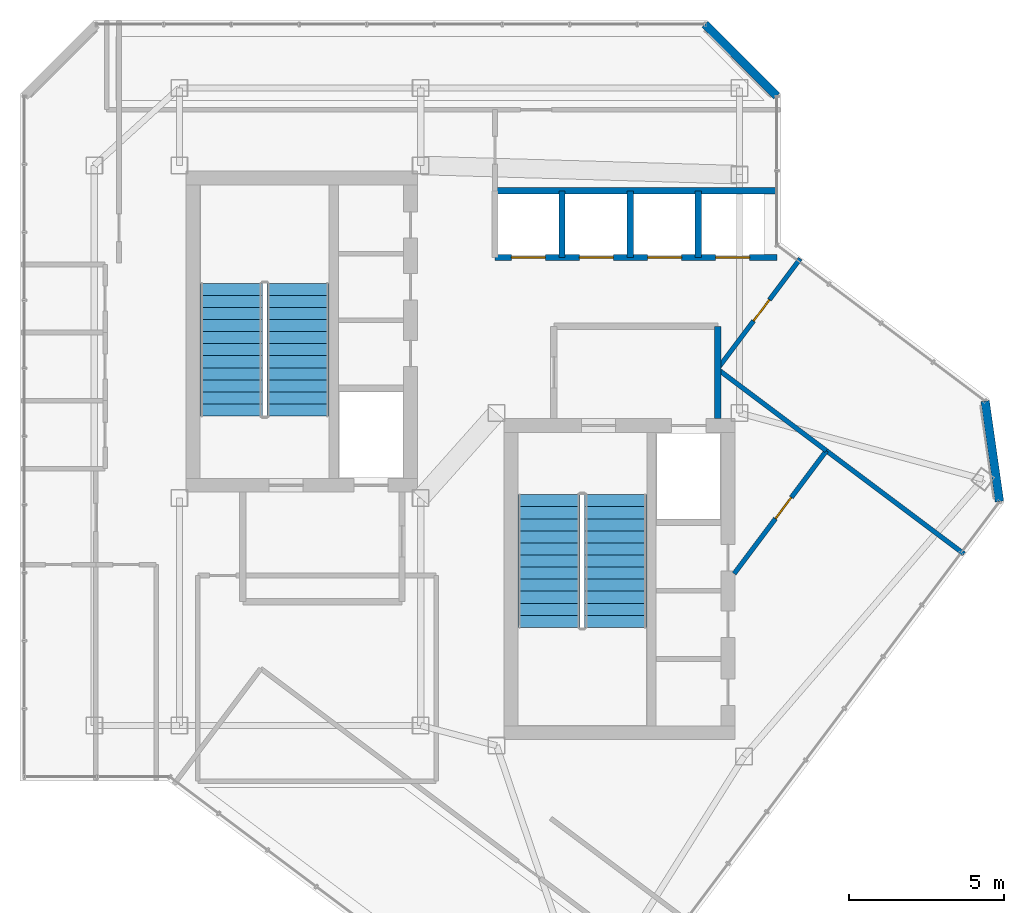
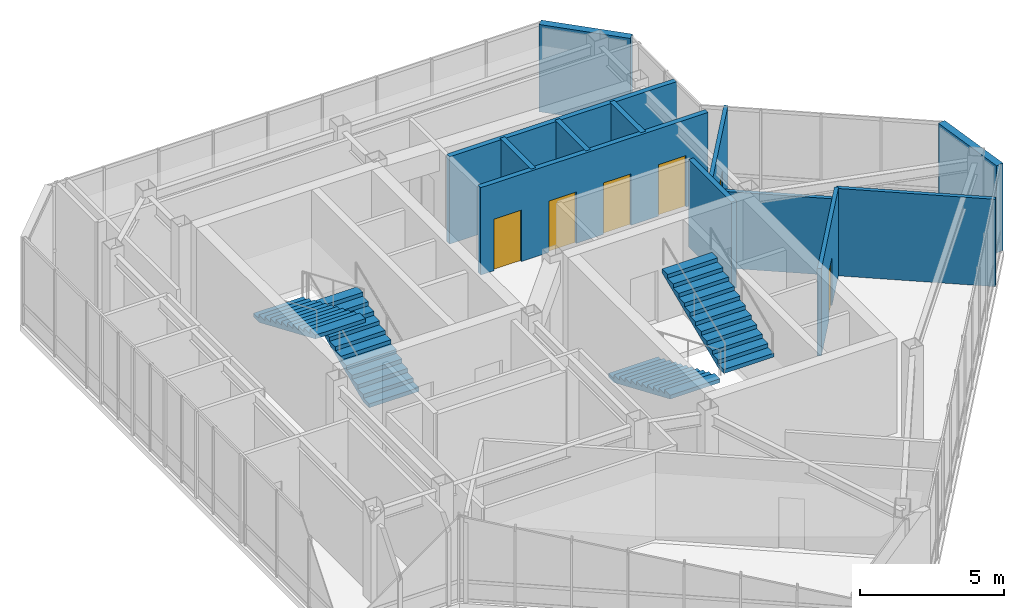
# One storey, part 22 of 24: 12 walls, 6 doors, 4 stair flights, 6 openings, 2 elements without a shape of their own.
"""IFC4 building model written with IfcOpenShell, lengths in metres."""

from ifc_helpers import new_model, si_unit, direction, frame, frame_2d, origin, place, context, subcontext, project, spatial, polyline, rectangle, outline, extrude, material, layer, layer_set, type_object, element, fill, aggregate, save


model = new_model("IFC4")

# Units and contexts
model_context = context("Model", 3, precision=1e-05, world=origin(), true_north=direction((0.0, 1.0)))
body_context = subcontext(model_context, "Body", "Model", "MODEL_VIEW")
ifc_project = project(units=[si_unit("LENGTHUNIT", "METRE"), si_unit("AREAUNIT", "SQUARE_METRE"), si_unit("VOLUMEUNIT", "CUBIC_METRE"), si_unit("PLANEANGLEUNIT", "RADIAN"), si_unit("MASSUNIT", "GRAM", prefix="KILO")], contexts=[model_context])

# Site, building, storey
site_placement = place(None, origin())
site = spatial("IfcSite", under=ifc_project, at=site_placement, CompositionType="ELEMENT")
building_placement = place(site_placement, origin())
building = spatial("IfcBuilding", under=site, at=building_placement, Name="Hatsunagi Terrace Concourse", CompositionType="ELEMENT")
storey_placement = place(building_placement, frame((0.0, 0.0, 285.949951171875)))
storey = spatial("IfcBuildingStorey", under=building, at=storey_placement, Name="L75", CompositionType="ELEMENT", Elevation=285.949951171875)

# Wall
ifc_material_1 = material(Name="Acoustic mineral board", Category="gypsum")
ifc_layer_1 = layer(ifc_material_1, 0.14990234375)
ifc_layer_set_1 = layer_set([ifc_layer_1], Name="PartitionWall_EI60_150")
wall_type_1 = type_object("IfcWallType", Name="PartitionWall_EI60_150", PredefinedType="PARTITIONING", material=ifc_layer_set_1)
wall_1_placement = place(storey_placement, frame((46.4599609375, 34.080078125, 0.0), z_axis=(0.0, 0.0, 1.0), x_axis=(0.799984192361, -0.600021076273, 0.0)))
element("IfcWall", 1, at=wall_1_placement, inside=storey, type_object=wall_type_1, Name="Interior Partition IW-L75-042", PredefinedType="PARTITIONING", context=body_context, shape_type="SweptSolid", body=[
    extrude(rectangle(XDim=5.56005859375, YDim=0.14990234375, at=frame_2d((2.780029296875, 0.0))), origin(), (0.0, 0.0, 1.0), 3.699951171875),
])

# Wall, opening, door
wall_2_placement = place(storey_placement, frame((43.47998046875, 30.10693359375, 0.0), z_axis=(0.0, 0.0, 1.0), x_axis=(0.600015730265, 0.799988202059, 0.0)))
wall_2 = element("IfcWall", 2, at=wall_2_placement, inside=storey, type_object=wall_type_1, Name="Interior Partition IW-L75-043", PredefinedType="PARTITIONING", context=body_context, shape_type="SweptSolid", body=[
    extrude(rectangle(XDim=4.966552734375, YDim=0.14990234375, at=frame_2d((2.4833984375, 0.0))), origin(), (0.0, 0.0, 1.0), 3.699951171875),
])
opening_1_placement = place(wall_2_placement, frame((2.22607421875, 0.0, 0.0)))
opening_1 = element("IfcOpeningElement", 3, at=opening_1_placement, cuts=wall_2, Name="Opening DR-085", PredefinedType="OPENING", context=body_context, shape_type="SweptSolid", body=[
    extrude(rectangle(XDim=0.85009765625, YDim=2.080078125, at=frame_2d((0.425048828125, 1.0400390625))), frame((0.0, 0.0849609375, 0.0), z_axis=(0.0, -1.0, 0.0), x_axis=(1.0, 0.0, 0.0)), (0.0, 0.0, 1.0), 0.169921875),
])
ifc_material_2 = material(Name="Painted steel", Category="steel")
door_type_1 = type_object("IfcDoorType", Name="RiserAccessDoor_EI60_850", OperationType="NOTDEFINED", PredefinedType="DOOR", material=ifc_material_2)
door_1_placement = place(opening_1_placement, origin())
door_1 = element("IfcDoor", 4, at=door_1_placement, inside=storey, type_object=door_type_1, Name="Crown Executive Suite L75-CR3A Door", OperationType="SINGLE_SWING_RIGHT", OverallHeight=2.080078125, OverallWidth=0.85009765625, PredefinedType="DOOR", context=body_context, shape_type="SweptSolid", body=[
    extrude(rectangle(XDim=0.85009765625, YDim=2.080078125, at=frame_2d((0.425048828125, 1.0400390625))), frame((0.0, 0.02490234375, 0.0), z_axis=(0.0, -1.0, 0.0), x_axis=(1.0, 0.0, 0.0)), (0.0, 0.0, 1.0), 0.050048828125),
])
fill(opening_1, door_1)

# Wall
wall_3_placement = place(storey_placement, frame((42.93994140625, 36.719970703125, 0.0), z_axis=(0.0, 0.0, 1.0), x_axis=(0.800013316712, -0.599982243973, 0.0)))
element("IfcWall", 5, at=wall_3_placement, inside=storey, type_object=wall_type_1, Name="Interior Partition IW-L75-044", PredefinedType="PARTITIONING", context=body_context, shape_type="SweptSolid", body=[
    extrude(rectangle(XDim=4.39990234375, YDim=0.14990234375, at=frame_2d((2.199951171875, 0.0))), origin(), (0.0, 0.0, 1.0), 3.2451171875),
])

# Wall, opening, door
wall_4_placement = place(storey_placement, frame((42.93994140625, 36.719970703125, 0.0), z_axis=(0.0, 0.0, 1.0), x_axis=(0.599991241767, 0.8000065686, 0.0)))
wall_4 = element("IfcWall", 6, at=wall_4_placement, inside=storey, type_object=wall_type_1, Name="Interior Partition IW-L75-045", PredefinedType="PARTITIONING", context=body_context, shape_type="SweptSolid", body=[
    extrude(rectangle(XDim=4.460205078125, YDim=0.14990234375, at=frame_2d((2.22998046875, 0.0))), origin(), (0.0, 0.0, 1.0), 3.699951171875),
])
opening_2_placement = place(wall_4_placement, frame((1.947021484375, 0.0, 0.0)))
opening_2 = element("IfcOpeningElement", 7, at=opening_2_placement, cuts=wall_4, Name="Opening DR-085", PredefinedType="OPENING", context=body_context, shape_type="SweptSolid", body=[
    extrude(rectangle(XDim=0.85009765625, YDim=2.080078125, at=frame_2d((0.425048828125, 1.0400390625))), frame((0.0, 0.0849609375, 0.0), z_axis=(0.0, -1.0, 0.0), x_axis=(1.0, 0.0, 0.0)), (0.0, 0.0, 1.0), 0.169921875),
])
door_2_placement = place(opening_2_placement, origin())
door_2 = element("IfcDoor", 8, at=door_2_placement, inside=storey, type_object=door_type_1, Name="Boardroom L75-CR3B Door", OperationType="SINGLE_SWING_LEFT", OverallHeight=2.080078125, OverallWidth=0.85009765625, PredefinedType="DOOR", context=body_context, shape_type="SweptSolid", body=[
    extrude(rectangle(XDim=0.85009765625, YDim=2.080078125, at=frame_2d((0.425048828125, 1.0400390625))), frame((0.0, 0.02490234375, 0.0), z_axis=(0.0, -1.0, 0.0), x_axis=(1.0, 0.0, 0.0)), (0.0, 0.0, 1.0), 0.050048828125),
])
fill(opening_2, door_2)

# Walls
ifc_material_3 = material(Name="Acoustic mineral board", Category="gypsum")
ifc_layer_2 = layer(ifc_material_3, 0.199951171875)
ifc_layer_set_2 = layer_set([ifc_layer_2], Name="ShaftWall_EI120_200")
wall_type_2 = type_object("IfcWallType", Name="ShaftWall_EI120_200", PredefinedType="STANDARD", material=ifc_layer_set_2)
wall_5_placement = place(storey_placement, frame((42.949951171875, 35.1201171875, 0.0), z_axis=(0.0, 0.0, 1.0), x_axis=(0.0, 1.0, 0.0)))
element("IfcWall", 9, at=wall_5_placement, inside=storey, type_object=wall_type_2, Name="Interior Partition IW-L75-011", PredefinedType="STANDARD", context=body_context, shape_type="SweptSolid", body=[
    extrude(rectangle(XDim=2.97998046875, YDim=0.199951171875, at=frame_2d((1.489990234375, 0.0))), origin(), (0.0, 0.0, 1.0), 3.699951171875),
])
wall_6_placement = place(storey_placement, frame((35.75, 42.47998046875, 0.0), z_axis=(0.0, 0.0, 1.0), x_axis=(1.0, 0.0, 0.0)))
element("IfcWall", 10, at=wall_6_placement, inside=storey, type_object=wall_type_2, Name="Interior Partition IW-L75-013", PredefinedType="STANDARD", context=body_context, shape_type="SweptSolid", body=[
    extrude(rectangle(XDim=9.110107421875, YDim=0.199951171875, at=frame_2d((4.55517578125, 0.0))), origin(), (0.0, 0.0, 1.0), 3.699951171875),
])
for number, where, z_axis, x_axis, name in (
    (11, (37.919921875, 40.320068359375, 0.0), (0.0, 0.0, 1.0), (0.0, 1.0, 0.0), "Interior Partition IW-L75-015"),
    (12, (40.1201171875, 40.320068359375, 0.0), (0.0, 0.0, 1.0), (0.0, 1.0, 0.0), "Interior Partition IW-L75-016"),
    (13, (42.320068359375, 40.320068359375, 0.0), (0.0, 0.0, 1.0), (0.0, 1.0, 0.0), "Interior Partition IW-L75-017"),
):
    element("IfcWall", number, at=place(storey_placement, frame(where, z_axis=z_axis, x_axis=x_axis)), inside=storey, type_object=wall_type_2, Name=name, PredefinedType="STANDARD", context=body_context, shape_type="SweptSolid", body=[
        extrude(rectangle(XDim=2.159912109375, YDim=0.199951171875, at=frame_2d((1.080078125, 0.0))), origin(), (0.0, 0.0, 1.0), 3.699951171875),
    ])

# Wall, openings, doors
wall_7_placement = place(storey_placement, frame((35.75, 40.320068359375, 0.0), z_axis=(0.0, 0.0, 1.0), x_axis=(1.0, 0.0, 0.0)))
wall_7 = element("IfcWall", 14, at=wall_7_placement, inside=storey, type_object=wall_type_2, Name="Interior Partition IW-L75-018", PredefinedType="STANDARD", context=body_context, shape_type="SweptSolid", body=[
    extrude(rectangle(XDim=9.110107421875, YDim=0.199951171875, at=frame_2d((4.55517578125, 0.0))), origin(), (0.0, 0.0, 1.0), 3.699951171875),
])
opening_3_placement = place(wall_7_placement, frame((0.530029296875, 0.0, 0.0)))
opening_3 = element("IfcOpeningElement", 15, at=opening_3_placement, cuts=wall_7, Name="Opening LD-04", PredefinedType="OPENING", context=body_context, shape_type="SweptSolid", body=[
    extrude(rectangle(XDim=1.10009765625, YDim=2.179931640625, at=frame_2d((0.550048828125, 1.08984375))), frame((0.0, 0.10986328125, 0.0), z_axis=(0.0, -1.0, 0.0), x_axis=(1.0, 0.0, 0.0)), (0.0, 0.0, 1.0), 0.219970703125),
])
opening_4_placement = place(wall_7_placement, frame((2.72998046875, 0.0, 0.0)))
opening_4 = element("IfcOpeningElement", 16, at=opening_4_placement, cuts=wall_7, Name="Opening LD-04", PredefinedType="OPENING", context=body_context, shape_type="SweptSolid", body=[
    extrude(rectangle(XDim=1.10009765625, YDim=2.179931640625, at=frame_2d((0.550048828125, 1.08984375))), frame((0.0, 0.10986328125, 0.0), z_axis=(0.0, -1.0, 0.0), x_axis=(1.0, 0.0, 0.0)), (0.0, 0.0, 1.0), 0.219970703125),
])
opening_5_placement = place(wall_7_placement, frame((4.929931640625, 0.0, 0.0)))
opening_5 = element("IfcOpeningElement", 17, at=opening_5_placement, cuts=wall_7, Name="Opening LD-04", PredefinedType="OPENING", context=body_context, shape_type="SweptSolid", body=[
    extrude(rectangle(XDim=1.10009765625, YDim=2.179931640625, at=frame_2d((0.550048828125, 1.08984375))), frame((0.0, 0.10986328125, 0.0), z_axis=(0.0, -1.0, 0.0), x_axis=(1.0, 0.0, 0.0)), (0.0, 0.0, 1.0), 0.219970703125),
])
opening_6_placement = place(wall_7_placement, frame((7.1298828125, 0.0, 0.0)))
opening_6 = element("IfcOpeningElement", 18, at=opening_6_placement, cuts=wall_7, Name="Opening LD-04", PredefinedType="OPENING", context=body_context, shape_type="SweptSolid", body=[
    extrude(rectangle(XDim=1.10009765625, YDim=2.179931640625, at=frame_2d((0.550048828125, 1.08984375))), frame((0.0, 0.10986328125, 0.0), z_axis=(0.0, -1.0, 0.0), x_axis=(1.0, 0.0, 0.0)), (0.0, 0.0, 1.0), 0.219970703125),
])
ifc_material_4 = material(Name="Stainless steel", Category="steel")
door_type_2 = type_object("IfcDoorType", Name="LiftLandingDoor_LD04", OperationType="SLIDING_TO_RIGHT", PredefinedType="USERDEFINED", material=ifc_material_4)
door_3_placement = place(opening_3_placement, origin())
door_3 = element("IfcDoor", 19, at=door_3_placement, inside=storey, type_object=door_type_2, Name="Lift landing door PL-05 L75", ObjectType="SLIDING_LANDING_DOOR", OperationType="SLIDING_TO_RIGHT", OverallHeight=2.179931640625, OverallWidth=1.10009765625, PredefinedType="USERDEFINED", context=body_context, shape_type="SweptSolid", body=[
    extrude(rectangle(XDim=1.10009765625, YDim=2.179931640625, at=frame_2d((0.550048828125, 1.08984375))), frame((0.0, 0.02490234375, 0.0), z_axis=(0.0, -1.0, 0.0), x_axis=(1.0, 0.0, 0.0)), (0.0, 0.0, 1.0), 0.050048828125),
])
fill(opening_3, door_3)
door_4_placement = place(opening_4_placement, origin())
door_4 = element("IfcDoor", 20, at=door_4_placement, inside=storey, type_object=door_type_2, Name="Lift landing door PL-06 L75", ObjectType="SLIDING_LANDING_DOOR", OperationType="SLIDING_TO_RIGHT", OverallHeight=2.179931640625, OverallWidth=1.10009765625, PredefinedType="USERDEFINED", context=body_context, shape_type="SweptSolid", body=[
    extrude(rectangle(XDim=1.10009765625, YDim=2.179931640625, at=frame_2d((0.550048828125, 1.08984375))), frame((0.0, 0.02490234375, 0.0), z_axis=(0.0, -1.0, 0.0), x_axis=(1.0, 0.0, 0.0)), (0.0, 0.0, 1.0), 0.050048828125),
])
fill(opening_4, door_4)
door_5_placement = place(opening_5_placement, origin())
door_5 = element("IfcDoor", 21, at=door_5_placement, inside=storey, type_object=door_type_2, Name="Lift landing door PL-07 L75", ObjectType="SLIDING_LANDING_DOOR", OperationType="SLIDING_TO_RIGHT", OverallHeight=2.179931640625, OverallWidth=1.10009765625, PredefinedType="USERDEFINED", context=body_context, shape_type="SweptSolid", body=[
    extrude(rectangle(XDim=1.10009765625, YDim=2.179931640625, at=frame_2d((0.550048828125, 1.08984375))), frame((0.0, 0.02490234375, 0.0), z_axis=(0.0, -1.0, 0.0), x_axis=(1.0, 0.0, 0.0)), (0.0, 0.0, 1.0), 0.050048828125),
])
fill(opening_5, door_5)
door_6_placement = place(opening_6_placement, origin())
door_6 = element("IfcDoor", 22, at=door_6_placement, inside=storey, type_object=door_type_2, Name="Lift landing door PL-08 L75", ObjectType="SLIDING_LANDING_DOOR", OperationType="SLIDING_TO_RIGHT", OverallHeight=2.179931640625, OverallWidth=1.10009765625, PredefinedType="USERDEFINED", context=body_context, shape_type="SweptSolid", body=[
    extrude(rectangle(XDim=1.10009765625, YDim=2.179931640625, at=frame_2d((0.550048828125, 1.08984375))), frame((0.0, 0.02490234375, 0.0), z_axis=(0.0, -1.0, 0.0), x_axis=(1.0, 0.0, 0.0)), (0.0, 0.0, 1.0), 0.050048828125),
])
fill(opening_6, door_6)

# Walls
ifc_material_5 = material(Name="Autoclaved Lightweight Concrete and Terracotta Cladding", Category="masonry")
ifc_layer_3 = layer(ifc_material_5, 0.280029296875)
ifc_layer_set_3 = layer_set([ifc_layer_3], Name="TerracottaSpandrelWall_280")
wall_type_3 = type_object("IfcWallType", Name="TerracottaSpandrelWall_280", PredefinedType="STANDARD", material=ifc_layer_set_3)
wall_8_placement = place(storey_placement, frame((51.590087890625, 35.68310546875, 0.0), z_axis=(0.0, 0.0, 1.0), x_axis=(0.141212810973, -0.989979263428, 0.0)))
element("IfcWall", 23, at=wall_8_placement, inside=storey, type_object=wall_type_3, Name="Exterior Spandrel Wall EW-L75-02", PredefinedType="STANDARD", context=body_context, shape_type="SweptSolid", body=[
    extrude(rectangle(XDim=3.278076171875, YDim=0.280029296875, at=frame_2d((1.63916015625, 0.0))), origin(), (0.0, 0.0, 1.0), 3.699951171875),
])
wall_9_placement = place(storey_placement, frame((42.5419921875, 47.860107421875, 0.0), z_axis=(0.0, 0.0, 1.0), x_axis=(0.707106781187, -0.707106781187, 0.0)))
element("IfcWall", 24, at=wall_9_placement, inside=storey, type_object=wall_type_3, Name="Exterior Spandrel Wall EW-L75-10", PredefinedType="STANDARD", context=body_context, shape_type="SweptSolid", body=[
    extrude(rectangle(XDim=3.2783203125, YDim=0.280029296875, at=frame_2d((1.63916015625, 0.0))), origin(), (0.0, 0.0, 1.0), 3.699951171875),
])

# Stair, stair flights
ifc_material_6 = material(Name="Concrete Fc42", Category="concrete")
stair_type = type_object("IfcStairType", Name="DoglegExitStair_Tower2000_24R_167", PredefinedType="HALF_TURN_STAIR", material=ifc_material_6)
stair_1_placement = place(storey_placement, origin())
stair_1 = element("IfcStair", 25, at=stair_1_placement, inside=storey, type_object=stair_type, Name="L75 Core A Protected Exit Stair ST-A", PredefinedType="HALF_TURN_STAIR")
ifc_material_7 = material(Name="Concrete Fc42", Category="concrete")
stair_flight_type = type_object("IfcStairFlightType", Name="DoglegStairFlight_Tower2000_24R_167", PredefinedType="STRAIGHT", material=ifc_material_7)
stair_flight_1_placement = place(storey_placement, frame((29.3798828125, 35.199951171875, 0.0), z_axis=(0.0, 0.0, 1.0), x_axis=(0.0, 1.0, 0.0)))
stair_flight_1 = element("IfcStairFlight", 26, at=stair_flight_1_placement, type_object=stair_flight_type, Name="ST-A flight 1", NumberOfRisers=12, NumberOfTreads=11, PredefinedType="STRAIGHT", RiserHeight=0.166666667, TreadLength=0.39, context=body_context, shape_type="SweptSolid", body=[
    extrude(outline(polyline([(0.0, 0.0), (0.0, 0.166748046875), (0.389892578125, 0.166748046875), (0.389892578125, 0.333251953125), (0.780029296875, 0.333251953125), (0.780029296875, 0.5), (1.169921875, 0.5), (1.169921875, 0.666748046875), (1.56005859375, 0.666748046875), (1.56005859375, 0.833251953125), (1.949951171875, 0.833251953125), (1.949951171875, 1.0), (2.340087890625, 1.0), (2.340087890625, 1.166748046875), (2.72998046875, 1.166748046875), (2.72998046875, 1.333251953125), (3.1201171875, 1.333251953125), (3.1201171875, 1.5), (3.510009765625, 1.5), (3.510009765625, 1.666748046875), (3.89990234375, 1.666748046875), (3.89990234375, 1.833251953125), (4.2900390625, 1.833251953125), (4.2900390625, 2.0), (4.2900390625, 1.67041015625), (0.38134765625, 0.0), (0.0, 0.0)])), frame((0.0, 1.0, 0.0), z_axis=(0.0, -1.0, 0.0), x_axis=(1.0, 0.0, 0.0)), (0.0, 0.0, 1.0), 2.0),
])
stair_flight_2_placement = place(storey_placement, frame((27.22998046875, 39.489990234375, 2.0), z_axis=(0.0, 0.0, 1.0), x_axis=(0.0, -1.0, 0.0)))
stair_flight_2 = element("IfcStairFlight", 27, at=stair_flight_2_placement, type_object=stair_flight_type, Name="ST-A flight 2", NumberOfRisers=12, NumberOfTreads=11, PredefinedType="STRAIGHT", RiserHeight=0.166666667, TreadLength=0.39, context=body_context, shape_type="SweptSolid", body=[
    extrude(outline(polyline([(0.0, 0.0), (0.0, 0.166748046875), (0.389892578125, 0.166748046875), (0.389892578125, 0.333251953125), (0.780029296875, 0.333251953125), (0.780029296875, 0.5), (1.169921875, 0.5), (1.169921875, 0.666748046875), (1.56005859375, 0.666748046875), (1.56005859375, 0.833251953125), (1.949951171875, 0.833251953125), (1.949951171875, 1.0), (2.340087890625, 1.0), (2.340087890625, 1.166748046875), (2.72998046875, 1.166748046875), (2.72998046875, 1.333251953125), (3.1201171875, 1.333251953125), (3.1201171875, 1.5), (3.510009765625, 1.5), (3.510009765625, 1.666748046875), (3.89990234375, 1.666748046875), (3.89990234375, 1.833251953125), (4.2900390625, 1.833251953125), (4.2900390625, 2.0), (4.2900390625, 1.67041015625), (0.38134765625, 0.0), (0.0, 0.0)])), frame((0.0, 1.0, 0.0), z_axis=(0.0, -1.0, 0.0), x_axis=(1.0, 0.0, 0.0)), (0.0, 0.0, 1.0), 2.0),
])
aggregate(stair_1, [stair_flight_1, stair_flight_2])

stair_2_placement = place(storey_placement, origin())
stair_2 = element("IfcStair", 28, at=stair_2_placement, inside=storey, type_object=stair_type, Name="L75 Core B Protected Exit Stair ST-B", PredefinedType="HALF_TURN_STAIR")
stair_flight_3_placement = place(storey_placement, frame((37.5, 32.659912109375, 0.0), z_axis=(0.0, 0.0, 1.0), x_axis=(0.0, -1.0, 0.0)))
stair_flight_3 = element("IfcStairFlight", 29, at=stair_flight_3_placement, type_object=stair_flight_type, Name="ST-B flight 1", NumberOfRisers=12, NumberOfTreads=11, PredefinedType="STRAIGHT", RiserHeight=0.166666667, TreadLength=0.39, context=body_context, shape_type="SweptSolid", body=[
    extrude(outline(polyline([(0.0, 0.0), (0.0, 0.166748046875), (0.389892578125, 0.166748046875), (0.389892578125, 0.333251953125), (0.780029296875, 0.333251953125), (0.780029296875, 0.5), (1.169921875, 0.5), (1.169921875, 0.666748046875), (1.56005859375, 0.666748046875), (1.56005859375, 0.833251953125), (1.949951171875, 0.833251953125), (1.949951171875, 1.0), (2.340087890625, 1.0), (2.340087890625, 1.166748046875), (2.72998046875, 1.166748046875), (2.72998046875, 1.333251953125), (3.1201171875, 1.333251953125), (3.1201171875, 1.5), (3.510009765625, 1.5), (3.510009765625, 1.666748046875), (3.89990234375, 1.666748046875), (3.89990234375, 1.833251953125), (4.2900390625, 1.833251953125), (4.2900390625, 2.0), (4.2900390625, 1.67041015625), (0.38134765625, 0.0), (0.0, 0.0)])), frame((0.0, 1.0, 0.0), z_axis=(0.0, -1.0, 0.0), x_axis=(1.0, 0.0, 0.0)), (0.0, 0.0, 1.0), 2.0),
])
stair_flight_4_placement = place(storey_placement, frame((39.64990234375, 28.3701171875, 2.0), z_axis=(0.0, 0.0, 1.0), x_axis=(0.0, 1.0, 0.0)))
stair_flight_4 = element("IfcStairFlight", 30, at=stair_flight_4_placement, type_object=stair_flight_type, Name="ST-B flight 2", NumberOfRisers=12, NumberOfTreads=11, PredefinedType="STRAIGHT", RiserHeight=0.166666667, TreadLength=0.39, context=body_context, shape_type="SweptSolid", body=[
    extrude(outline(polyline([(0.0, 0.0), (0.0, 0.166748046875), (0.389892578125, 0.166748046875), (0.389892578125, 0.333251953125), (0.780029296875, 0.333251953125), (0.780029296875, 0.5), (1.169921875, 0.5), (1.169921875, 0.666748046875), (1.56005859375, 0.666748046875), (1.56005859375, 0.833251953125), (1.949951171875, 0.833251953125), (1.949951171875, 1.0), (2.340087890625, 1.0), (2.340087890625, 1.166748046875), (2.72998046875, 1.166748046875), (2.72998046875, 1.333251953125), (3.1201171875, 1.333251953125), (3.1201171875, 1.5), (3.510009765625, 1.5), (3.510009765625, 1.666748046875), (3.89990234375, 1.666748046875), (3.89990234375, 1.833251953125), (4.2900390625, 1.833251953125), (4.2900390625, 2.0), (4.2900390625, 1.67041015625), (0.38134765625, 0.0), (0.0, 0.0)])), frame((0.0, 1.0, 0.0), z_axis=(0.0, -1.0, 0.0), x_axis=(1.0, 0.0, 0.0)), (0.0, 0.0, 1.0), 2.0),
])
aggregate(stair_2, [stair_flight_3, stair_flight_4])

save(model, "model.ifc")
